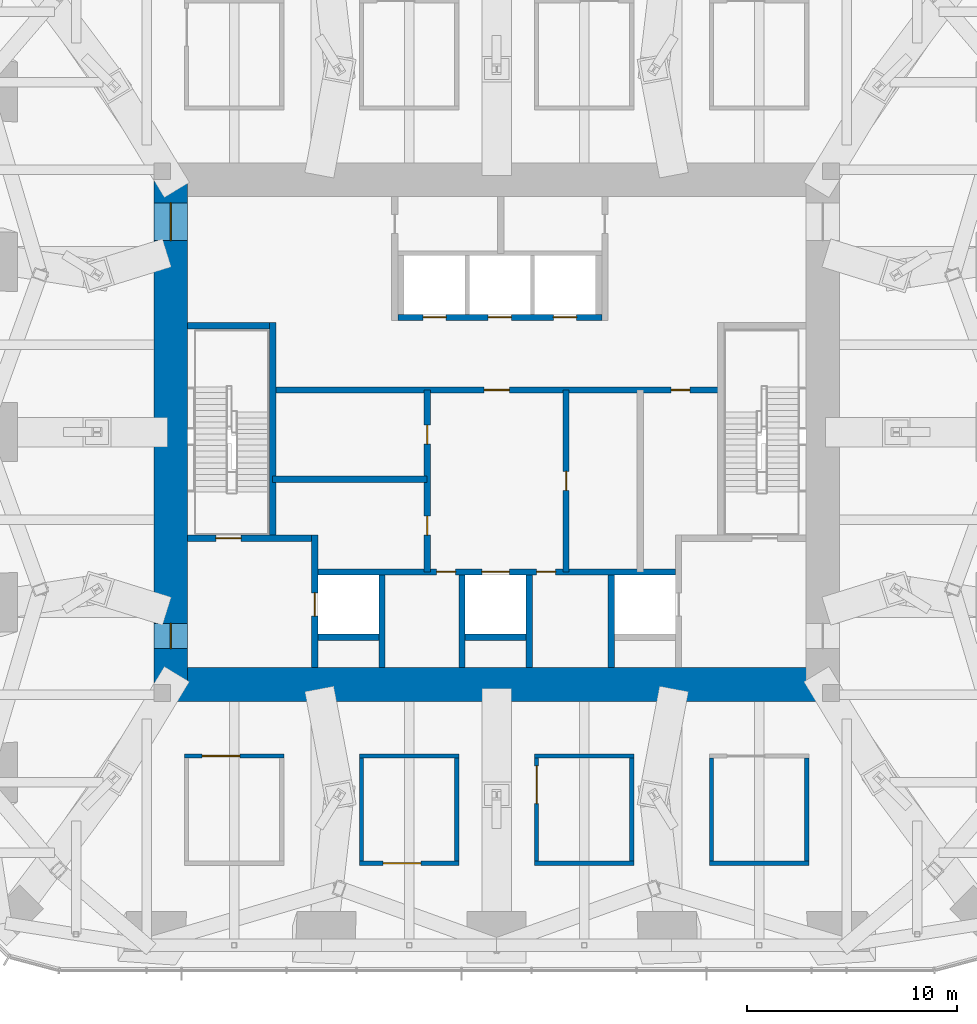
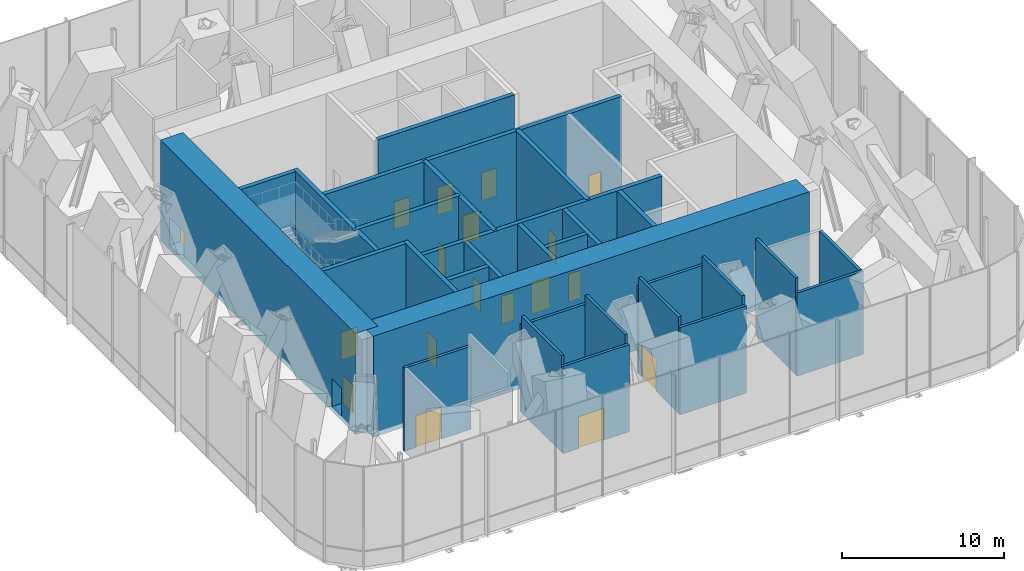
# One storey, part 12 of 16: 30 walls, 18 doors, 18 openings.
"""IFC4 building model written with IfcOpenShell, lengths in metres."""

from ifc_helpers import new_model, si_unit, direction, frame, frame_2d, origin, place, context, subcontext, project, spatial, rectangle, extrude, material, layer, layer_set, type_object, element, fill, save


model = new_model("IFC4")

# Units and contexts
model_context = context("Model", 3, precision=1e-05, world=origin(), true_north=direction((0.0, 1.0)))
body_context = subcontext(model_context, "Body", "Model", "MODEL_VIEW")
ifc_project = project(units=[si_unit("LENGTHUNIT", "METRE"), si_unit("AREAUNIT", "SQUARE_METRE"), si_unit("VOLUMEUNIT", "CUBIC_METRE"), si_unit("PLANEANGLEUNIT", "RADIAN"), si_unit("MASSUNIT", "GRAM", prefix="KILO")], contexts=[model_context])

# Site, building, storey
site_placement = place(None, origin())
site = spatial("IfcSite", under=ifc_project, at=site_placement, CompositionType="ELEMENT")
building_placement = place(site_placement, origin())
building = spatial("IfcBuilding", under=site, at=building_placement, Name="Khuree Lantern Residences", CompositionType="ELEMENT")
storey_placement = place(building_placement, frame((0.0, 0.0, 278.25)))
storey = spatial("IfcBuildingStorey", under=building, at=storey_placement, Name="L70", CompositionType="ELEMENT", Elevation=278.25)

# Wall, opening, door
ifc_material_1 = material(Name="Dense concrete blockwork", Category="masonry")
ifc_layer_1 = layer(ifc_material_1, 0.300048828125)
ifc_layer_set_1 = layer_set([ifc_layer_1], Name="CORE PARTITION WALL CPW300 EI 120")
wall_type_1 = type_object("IfcWallType", Name="CORE PARTITION WALL CPW300 EI 120", PredefinedType="PARTITIONING", material=ifc_layer_set_1)
wall_1_placement = place(storey_placement, frame((-8.64990234375, -11.199951171875, 0.0), z_axis=(0.0, 0.0, 1.0), x_axis=(0.0, 1.0, 0.0)))
wall_1 = element("IfcWall", 1, at=wall_1_placement, inside=storey, type_object=wall_type_1, Name="L70 CORE WALL FL1W", PredefinedType="PARTITIONING", context=body_context, shape_type="SweptSolid", body=[
    extrude(rectangle(XDim=6.300048828125, YDim=0.300048828125, at=frame_2d((3.14990234375, 0.0))), origin(), (0.0, 0.0, 1.0), 7.25),
])
opening_1_placement = place(wall_1_placement, frame((2.449951171875, 0.0, 0.0)))
opening_1 = element("IfcOpeningElement", 2, at=opening_1_placement, cuts=wall_1, Name="Opening 70-007", PredefinedType="OPENING", context=body_context, shape_type="SweptSolid", body=[
    extrude(rectangle(XDim=1.10009765625, YDim=2.10009765625, at=frame_2d((0.550048828125, 1.050048828125))), frame((0.0, 0.16015625, 0.0), z_axis=(0.0, -1.0, 0.0), x_axis=(1.0, 0.0, 0.0)), (0.0, 0.0, 1.0), 0.320068359375),
])
ifc_material_2 = material(Name="Stainless steel lift landing door", Category="steel")
door_type_1 = type_object("IfcDoorType", Name="LIFT LANDING DOOR 1100X2100 E 120", OperationType="DOUBLE_DOOR_SLIDING", PredefinedType="DOOR", material=ifc_material_2)
door_1_placement = place(opening_1_placement, origin())
door_1 = element("IfcDoor", 3, at=door_1_placement, inside=storey, type_object=door_type_1, Name="Landing door FL1 70-007", OperationType="DOUBLE_DOOR_SLIDING", OverallHeight=2.10009765625, OverallWidth=1.10009765625, PredefinedType="DOOR", context=body_context, shape_type="SweptSolid", body=[
    extrude(rectangle(XDim=1.10009765625, YDim=2.10009765625, at=frame_2d((0.550048828125, 1.050048828125))), frame((0.0, 0.02490234375, 0.0), z_axis=(0.0, -1.0, 0.0), x_axis=(1.0, 0.0, 0.0)), (0.0, 0.0, 1.0), 0.050048828125),
])
fill(opening_1, door_1)

# Wall, openings, doors
wall_2_placement = place(storey_placement, frame((-8.5, -6.64990234375, 0.0), z_axis=(0.0, 0.0, 1.0), x_axis=(1.0, 0.0, 0.0)))
wall_2 = element("IfcWall", 4, at=wall_2_placement, inside=storey, type_object=wall_type_1, Name="L70 CORE WALL FLROW", PredefinedType="PARTITIONING", context=body_context, shape_type="SweptSolid", body=[
    extrude(rectangle(XDim=17.0, YDim=0.300048828125, at=frame_2d((8.5, 0.0))), origin(), (0.0, 0.0, 1.0), 7.25),
])
opening_2_placement = place(wall_2_placement, frame((7.800048828125, 0.0, 0.0)))
opening_2 = element("IfcOpeningElement", 5, at=opening_2_placement, cuts=wall_2, Name="Opening 70-012", PredefinedType="OPENING", context=body_context, shape_type="SweptSolid", body=[
    extrude(rectangle(XDim=1.300048828125, YDim=2.39990234375, at=frame_2d((0.64990234375, 1.199951171875))), frame((0.0, 0.16015625, 0.0), z_axis=(0.0, -1.0, 0.0), x_axis=(1.0, 0.0, 0.0)), (0.0, 0.0, 1.0), 0.320068359375),
])
opening_3_placement = place(wall_2_placement, frame((5.64990234375, 0.0, 0.0)))
opening_3 = element("IfcOpeningElement", 6, at=opening_3_placement, cuts=wall_2, Name="Opening 70-014", PredefinedType="OPENING", context=body_context, shape_type="SweptSolid", body=[
    extrude(rectangle(XDim=0.89990234375, YDim=2.10009765625, at=frame_2d((0.449951171875, 1.050048828125))), frame((0.0, 0.16015625, 0.0), z_axis=(0.0, -1.0, 0.0), x_axis=(1.0, 0.0, 0.0)), (0.0, 0.0, 1.0), 0.320068359375),
])
opening_4_placement = place(wall_2_placement, frame((10.39990234375, 0.0, 0.0)))
opening_4 = element("IfcOpeningElement", 7, at=opening_4_placement, cuts=wall_2, Name="Opening 70-015", PredefinedType="OPENING", context=body_context, shape_type="SweptSolid", body=[
    extrude(rectangle(XDim=0.89990234375, YDim=2.10009765625, at=frame_2d((0.449951171875, 1.050048828125))), frame((0.0, 0.16015625, 0.0), z_axis=(0.0, -1.0, 0.0), x_axis=(1.0, 0.0, 0.0)), (0.0, 0.0, 1.0), 0.320068359375),
])
ifc_material_3 = material(Name="Steel door leaf in steel frame", Category="steel")
door_type_2 = type_object("IfcDoorType", Name="DOOR 900X2100 EI 60", OperationType="SINGLE_SWING_LEFT", PredefinedType="DOOR", material=ifc_material_3)
door_2_placement = place(opening_3_placement, origin())
door_2 = element("IfcDoor", 8, at=door_2_placement, inside=storey, type_object=door_type_2, Name="Electrical riser door 70-014", OperationType="SINGLE_SWING_LEFT", OverallHeight=2.10009765625, OverallWidth=0.89990234375, PredefinedType="DOOR", context=body_context, shape_type="SweptSolid", body=[
    extrude(rectangle(XDim=0.89990234375, YDim=2.10009765625, at=frame_2d((0.449951171875, 1.050048828125))), frame((0.0, 0.02490234375, 0.0), z_axis=(0.0, -1.0, 0.0), x_axis=(1.0, 0.0, 0.0)), (0.0, 0.0, 1.0), 0.050048828125),
])
fill(opening_3, door_2)
door_type_3 = type_object("IfcDoorType", Name="DOOR 900X2100 EI 60 RIGHT HAND", OperationType="SINGLE_SWING_RIGHT", PredefinedType="DOOR", material=ifc_material_3)
door_3_placement = place(opening_4_placement, origin())
door_3 = element("IfcDoor", 9, at=door_3_placement, inside=storey, type_object=door_type_3, Name="Plumbing riser door 70-015", OperationType="SINGLE_SWING_RIGHT", OverallHeight=2.10009765625, OverallWidth=0.89990234375, PredefinedType="DOOR", context=body_context, shape_type="SweptSolid", body=[
    extrude(rectangle(XDim=0.89990234375, YDim=2.10009765625, at=frame_2d((0.449951171875, 1.050048828125))), frame((0.0, 0.02490234375, 0.0), z_axis=(0.0, -1.0, 0.0), x_axis=(1.0, 0.0, 0.0)), (0.0, 0.0, 1.0), 0.050048828125),
])
fill(opening_4, door_3)
door_type_4 = type_object("IfcDoorType", Name="LIFT LANDING DOOR 1300X2400 E 60", OperationType="DOUBLE_DOOR_SLIDING", PredefinedType="DOOR", material=ifc_material_2)
door_4_placement = place(opening_2_placement, origin())
door_4 = element("IfcDoor", 10, at=door_4_placement, inside=storey, type_object=door_type_4, Name="Landing door SL1 70-012", OperationType="DOUBLE_DOOR_SLIDING", OverallHeight=2.39990234375, OverallWidth=1.300048828125, PredefinedType="DOOR", context=body_context, shape_type="SweptSolid", body=[
    extrude(rectangle(XDim=1.300048828125, YDim=2.39990234375, at=frame_2d((0.64990234375, 1.199951171875))), frame((0.0, 0.02490234375, 0.0), z_axis=(0.0, -1.0, 0.0), x_axis=(1.0, 0.0, 0.0)), (0.0, 0.0, 1.0), 0.050048828125),
])
fill(opening_2, door_4)

# Walls
for number, where, z_axis, x_axis, name in (
    (11, (-5.449951171875, -11.199951171875, 0.0), (0.0, 0.0, 1.0), (0.0, 1.0, 0.0), "L70 CORE WALL FL1E"),
    (12, (-1.64990234375, -11.199951171875, 0.0), (0.0, 0.0, 1.0), (0.0, 1.0, 0.0), "L70 CORE WALL SL1W"),
    (13, (1.550048828125, -11.199951171875, 0.0), (0.0, 0.0, 1.0), (0.0, 1.0, 0.0), "L70 CORE WALL SL1E"),
    (14, (5.449951171875, -11.199951171875, 0.0), (0.0, 0.0, 1.0), (0.0, 1.0, 0.0), "L70 CORE WALL FL2W"),
):
    element("IfcWall", number, at=place(storey_placement, frame(where, z_axis=z_axis, x_axis=x_axis)), inside=storey, type_object=wall_type_1, Name=name, PredefinedType="PARTITIONING", context=body_context, shape_type="SweptSolid", body=[
        extrude(rectangle(XDim=4.39990234375, YDim=0.300048828125, at=frame_2d((2.199951171875, 0.0))), origin(), (0.0, 0.0, 1.0), 7.25),
    ])
for number, where, z_axis, x_axis, name in (
    (15, (-8.5, -9.75, 0.0), (0.0, 0.0, 1.0), (1.0, 0.0, 0.0), "L70 CORE WALL FL1S"),
    (16, (-1.5, -9.75, 0.0), (0.0, 0.0, 1.0), (1.0, 0.0, 0.0), "L70 CORE WALL SL1S"),
):
    element("IfcWall", number, at=place(storey_placement, frame(where, z_axis=z_axis, x_axis=x_axis)), inside=storey, type_object=wall_type_1, Name=name, PredefinedType="PARTITIONING", context=body_context, shape_type="SweptSolid", body=[
        extrude(rectangle(XDim=2.89990234375, YDim=0.300048828125, at=frame_2d((1.449951171875, 0.0))), origin(), (0.0, 0.0, 1.0), 7.25),
    ])

# Wall, openings, doors
wall_3_placement = place(storey_placement, frame((-4.699951171875, 5.449951171875, 0.0), z_axis=(0.0, 0.0, 1.0), x_axis=(1.0, 0.0, 0.0)))
wall_3 = element("IfcWall", 17, at=wall_3_placement, inside=storey, type_object=wall_type_1, Name="L70 CORE WALL PHS", PredefinedType="PARTITIONING", context=body_context, shape_type="SweptSolid", body=[
    extrude(rectangle(XDim=9.699951171875, YDim=0.300048828125, at=frame_2d((4.85009765625, 0.0))), origin(), (0.0, 0.0, 1.0), 7.25),
])
opening_5_placement = place(wall_3_placement, frame((1.199951171875, 0.0, 0.0)))
opening_5 = element("IfcOpeningElement", 18, at=opening_5_placement, cuts=wall_3, Name="Opening 70-009", PredefinedType="OPENING", context=body_context, shape_type="SweptSolid", body=[
    extrude(rectangle(XDim=1.10009765625, YDim=2.10009765625, at=frame_2d((0.550048828125, 1.050048828125))), frame((0.0, 0.16015625, 0.0), z_axis=(0.0, -1.0, 0.0), x_axis=(1.0, 0.0, 0.0)), (0.0, 0.0, 1.0), 0.320068359375),
])
opening_6_placement = place(wall_3_placement, frame((4.300048828125, 0.0, 0.0)))
opening_6 = element("IfcOpeningElement", 19, at=opening_6_placement, cuts=wall_3, Name="Opening 70-010", PredefinedType="OPENING", context=body_context, shape_type="SweptSolid", body=[
    extrude(rectangle(XDim=1.10009765625, YDim=2.10009765625, at=frame_2d((0.550048828125, 1.050048828125))), frame((0.0, 0.16015625, 0.0), z_axis=(0.0, -1.0, 0.0), x_axis=(1.0, 0.0, 0.0)), (0.0, 0.0, 1.0), 0.320068359375),
])
opening_7_placement = place(wall_3_placement, frame((7.39990234375, 0.0, 0.0)))
opening_7 = element("IfcOpeningElement", 20, at=opening_7_placement, cuts=wall_3, Name="Opening 70-011", PredefinedType="OPENING", context=body_context, shape_type="SweptSolid", body=[
    extrude(rectangle(XDim=1.10009765625, YDim=2.10009765625, at=frame_2d((0.550048828125, 1.050048828125))), frame((0.0, 0.16015625, 0.0), z_axis=(0.0, -1.0, 0.0), x_axis=(1.0, 0.0, 0.0)), (0.0, 0.0, 1.0), 0.320068359375),
])
door_type_5 = type_object("IfcDoorType", Name="LIFT LANDING DOOR 1100X2100 E 60", OperationType="DOUBLE_DOOR_SLIDING", PredefinedType="DOOR", material=ifc_material_2)
door_5_placement = place(opening_5_placement, origin())
door_5 = element("IfcDoor", 21, at=door_5_placement, inside=storey, type_object=door_type_5, Name="Landing door PH1 70-009", OperationType="DOUBLE_DOOR_SLIDING", OverallHeight=2.10009765625, OverallWidth=1.10009765625, PredefinedType="DOOR", context=body_context, shape_type="SweptSolid", body=[
    extrude(rectangle(XDim=1.10009765625, YDim=2.10009765625, at=frame_2d((0.550048828125, 1.050048828125))), frame((0.0, 0.02490234375, 0.0), z_axis=(0.0, -1.0, 0.0), x_axis=(1.0, 0.0, 0.0)), (0.0, 0.0, 1.0), 0.050048828125),
])
fill(opening_5, door_5)
door_6_placement = place(opening_6_placement, origin())
door_6 = element("IfcDoor", 22, at=door_6_placement, inside=storey, type_object=door_type_5, Name="Landing door PH2 70-010", OperationType="DOUBLE_DOOR_SLIDING", OverallHeight=2.10009765625, OverallWidth=1.10009765625, PredefinedType="DOOR", context=body_context, shape_type="SweptSolid", body=[
    extrude(rectangle(XDim=1.10009765625, YDim=2.10009765625, at=frame_2d((0.550048828125, 1.050048828125))), frame((0.0, 0.02490234375, 0.0), z_axis=(0.0, -1.0, 0.0), x_axis=(1.0, 0.0, 0.0)), (0.0, 0.0, 1.0), 0.050048828125),
])
fill(opening_6, door_6)
door_7_placement = place(opening_7_placement, origin())
door_7 = element("IfcDoor", 23, at=door_7_placement, inside=storey, type_object=door_type_5, Name="Landing door PH3 70-011", OperationType="DOUBLE_DOOR_SLIDING", OverallHeight=2.10009765625, OverallWidth=1.10009765625, PredefinedType="DOOR", context=body_context, shape_type="SweptSolid", body=[
    extrude(rectangle(XDim=1.10009765625, YDim=2.10009765625, at=frame_2d((0.550048828125, 1.050048828125))), frame((0.0, 0.02490234375, 0.0), z_axis=(0.0, -1.0, 0.0), x_axis=(1.0, 0.0, 0.0)), (0.0, 0.0, 1.0), 0.050048828125),
])
fill(opening_7, door_7)

wall_4_placement = place(storey_placement, frame((-10.64990234375, 2.0, 0.0), z_axis=(0.0, 0.0, 1.0), x_axis=(1.0, 0.0, 0.0)))
wall_4 = element("IfcWall", 24, at=wall_4_placement, inside=storey, type_object=wall_type_1, Name="L70 CORE WALL LLS", PredefinedType="PARTITIONING", context=body_context, shape_type="SweptSolid", body=[
    extrude(rectangle(XDim=21.2998046875, YDim=0.300048828125, at=frame_2d((10.64990234375, 0.0))), origin(), (0.0, 0.0, 1.0), 7.25),
])
opening_8_placement = place(wall_4_placement, frame((10.050048828125, 0.0, 0.0)))
opening_8 = element("IfcOpeningElement", 25, at=opening_8_placement, cuts=wall_4, Name="Opening 70-013", PredefinedType="OPENING", context=body_context, shape_type="SweptSolid", body=[
    extrude(rectangle(XDim=1.199951171875, YDim=2.10009765625, at=frame_2d((0.60009765625, 1.050048828125))), frame((0.0, 0.16015625, 0.0), z_axis=(0.0, -1.0, 0.0), x_axis=(1.0, 0.0, 0.0)), (0.0, 0.0, 1.0), 0.320068359375),
])
opening_9_placement = place(wall_4_placement, frame((18.94189453125, 0.0, 0.0)))
opening_9 = element("IfcOpeningElement", 26, at=opening_9_placement, cuts=wall_4, Name="Opening 70-019", PredefinedType="OPENING", context=body_context, shape_type="SweptSolid", body=[
    extrude(rectangle(XDim=0.89990234375, YDim=2.10009765625, at=frame_2d((0.449951171875, 1.050048828125))), frame((0.0, 0.16015625, 0.0), z_axis=(0.0, -1.0, 0.0), x_axis=(1.0, 0.0, 0.0)), (0.0, 0.0, 1.0), 0.320068359375),
])
door_type_6 = type_object("IfcDoorType", Name="DOOR 1200X2100 EI 60", OperationType="SINGLE_SWING_LEFT", PredefinedType="DOOR", material=ifc_material_3)
door_8_placement = place(opening_8_placement, origin())
door_8 = element("IfcDoor", 27, at=door_8_placement, inside=storey, type_object=door_type_6, Name="Service lift lobby door 70-013", OperationType="SINGLE_SWING_LEFT", OverallHeight=2.10009765625, OverallWidth=1.199951171875, PredefinedType="DOOR", context=body_context, shape_type="SweptSolid", body=[
    extrude(rectangle(XDim=1.199951171875, YDim=2.10009765625, at=frame_2d((0.60009765625, 1.050048828125))), frame((0.0, 0.02490234375, 0.0), z_axis=(0.0, -1.0, 0.0), x_axis=(1.0, 0.0, 0.0)), (0.0, 0.0, 1.0), 0.050048828125),
])
fill(opening_8, door_8)
ifc_material_4 = material(Name="Timber door leaf in hardwood frame", Category="wood")
door_type_7 = type_object("IfcDoorType", Name="DOOR 900X2100 RIGHT HAND", OperationType="SINGLE_SWING_RIGHT", PredefinedType="DOOR", material=ifc_material_4)
door_9_placement = place(opening_9_placement, origin())
door_9 = element("IfcDoor", 28, at=door_9_placement, inside=storey, type_object=door_type_7, Name="Store door 70-019", OperationType="SINGLE_SWING_RIGHT", OverallHeight=2.10009765625, OverallWidth=0.89990234375, PredefinedType="DOOR", context=body_context, shape_type="SweptSolid", body=[
    extrude(rectangle(XDim=0.89990234375, YDim=2.10009765625, at=frame_2d((0.449951171875, 1.050048828125))), frame((0.0, 0.02490234375, 0.0), z_axis=(0.0, -1.0, 0.0), x_axis=(1.0, 0.0, 0.0)), (0.0, 0.0, 1.0), 0.050048828125),
])
fill(opening_9, door_9)

wall_5_placement = place(storey_placement, frame((-3.300048828125, -6.64990234375, 0.0), z_axis=(0.0, 0.0, 1.0), x_axis=(0.0, 1.0, 0.0)))
wall_5 = element("IfcWall", 29, at=wall_5_placement, inside=storey, type_object=wall_type_1, Name="L70 CORE WALL SVW", PredefinedType="PARTITIONING", context=body_context, shape_type="SweptSolid", body=[
    extrude(rectangle(XDim=8.64990234375, YDim=0.300048828125, at=frame_2d((4.324951171875, 0.0))), origin(), (0.0, 0.0, 1.0), 7.25),
])
opening_10_placement = place(wall_5_placement, frame((1.75, 0.0, 0.0)))
opening_10 = element("IfcOpeningElement", 30, at=opening_10_placement, cuts=wall_5, Name="Opening 70-016", PredefinedType="OPENING", context=body_context, shape_type="SweptSolid", body=[
    extrude(rectangle(XDim=0.89990234375, YDim=2.10009765625, at=frame_2d((0.449951171875, 1.050048828125))), frame((0.0, 0.16015625, 0.0), z_axis=(0.0, -1.0, 0.0), x_axis=(1.0, 0.0, 0.0)), (0.0, 0.0, 1.0), 0.320068359375),
])
opening_11_placement = place(wall_5_placement, frame((6.074951171875, 0.0, 0.0)))
opening_11 = element("IfcOpeningElement", 31, at=opening_11_placement, cuts=wall_5, Name="Opening 70-017", PredefinedType="OPENING", context=body_context, shape_type="SweptSolid", body=[
    extrude(rectangle(XDim=0.89990234375, YDim=2.10009765625, at=frame_2d((0.449951171875, 1.050048828125))), frame((0.0, 0.16015625, 0.0), z_axis=(0.0, -1.0, 0.0), x_axis=(1.0, 0.0, 0.0)), (0.0, 0.0, 1.0), 0.320068359375),
])
door_type_8 = type_object("IfcDoorType", Name="DOOR 900X2100", OperationType="SINGLE_SWING_LEFT", PredefinedType="DOOR", material=ifc_material_4)
door_10_placement = place(opening_10_placement, origin())
door_10 = element("IfcDoor", 32, at=door_10_placement, inside=storey, type_object=door_type_8, Name="Store door 70-016", OperationType="SINGLE_SWING_LEFT", OverallHeight=2.10009765625, OverallWidth=0.89990234375, PredefinedType="DOOR", context=body_context, shape_type="SweptSolid", body=[
    extrude(rectangle(XDim=0.89990234375, YDim=2.10009765625, at=frame_2d((0.449951171875, 1.050048828125))), frame((0.0, 0.02490234375, 0.0), z_axis=(0.0, -1.0, 0.0), x_axis=(1.0, 0.0, 0.0)), (0.0, 0.0, 1.0), 0.050048828125),
])
fill(opening_10, door_10)
door_11_placement = place(opening_11_placement, origin())
door_11 = element("IfcDoor", 33, at=door_11_placement, inside=storey, type_object=door_type_8, Name="Store door 70-017", OperationType="SINGLE_SWING_LEFT", OverallHeight=2.10009765625, OverallWidth=0.89990234375, PredefinedType="DOOR", context=body_context, shape_type="SweptSolid", body=[
    extrude(rectangle(XDim=0.89990234375, YDim=2.10009765625, at=frame_2d((0.449951171875, 1.050048828125))), frame((0.0, 0.02490234375, 0.0), z_axis=(0.0, -1.0, 0.0), x_axis=(1.0, 0.0, 0.0)), (0.0, 0.0, 1.0), 0.050048828125),
])
fill(opening_11, door_11)

# Wall, opening, door
wall_6_placement = place(storey_placement, frame((3.300048828125, -6.64990234375, 0.0), z_axis=(0.0, 0.0, 1.0), x_axis=(0.0, 1.0, 0.0)))
wall_6 = element("IfcWall", 34, at=wall_6_placement, inside=storey, type_object=wall_type_1, Name="L70 CORE WALL SVE", PredefinedType="PARTITIONING", context=body_context, shape_type="SweptSolid", body=[
    extrude(rectangle(XDim=8.64990234375, YDim=0.300048828125, at=frame_2d((4.324951171875, 0.0))), origin(), (0.0, 0.0, 1.0), 7.25),
])
opening_12_placement = place(wall_6_placement, frame((3.875, 0.0, 0.0)))
opening_12 = element("IfcOpeningElement", 35, at=opening_12_placement, cuts=wall_6, Name="Opening 70-018", PredefinedType="OPENING", context=body_context, shape_type="SweptSolid", body=[
    extrude(rectangle(XDim=0.89990234375, YDim=2.10009765625, at=frame_2d((0.449951171875, 1.050048828125))), frame((0.0, 0.16015625, 0.0), z_axis=(0.0, -1.0, 0.0), x_axis=(1.0, 0.0, 0.0)), (0.0, 0.0, 1.0), 0.320068359375),
])
door_12_placement = place(opening_12_placement, origin())
door_12 = element("IfcDoor", 36, at=door_12_placement, inside=storey, type_object=door_type_8, Name="Store door 70-018", OperationType="SINGLE_SWING_LEFT", OverallHeight=2.10009765625, OverallWidth=0.89990234375, PredefinedType="DOOR", context=body_context, shape_type="SweptSolid", body=[
    extrude(rectangle(XDim=0.89990234375, YDim=2.10009765625, at=frame_2d((0.449951171875, 1.050048828125))), frame((0.0, 0.02490234375, 0.0), z_axis=(0.0, -1.0, 0.0), x_axis=(1.0, 0.0, 0.0)), (0.0, 0.0, 1.0), 0.050048828125),
])
fill(opening_12, door_12)

# Walls
wall_7_placement = place(storey_placement, frame((-10.64990234375, -2.25, 0.0), z_axis=(0.0, 0.0, 1.0), x_axis=(1.0, 0.0, 0.0)))
element("IfcWall", 37, at=wall_7_placement, inside=storey, type_object=wall_type_1, Name="L70 CORE WALL WX", PredefinedType="PARTITIONING", context=body_context, shape_type="SweptSolid", body=[
    extrude(rectangle(XDim=7.349853515625, YDim=0.300048828125, at=frame_2d((3.6748046875, 0.0))), origin(), (0.0, 0.0, 1.0), 7.25),
])
ifc_material_5 = material(Name="Concrete C50/60", Category="concrete")
ifc_layer_2 = layer(ifc_material_5, 1.60009765625)
ifc_layer_set_2 = layer_set([ifc_layer_2], Name="CW1600-C50 CORE WALL C50 1600")
wall_type_2 = type_object("IfcWallType", Name="CW1600-C50 CORE WALL C50 1600", PredefinedType="SHEAR", material=ifc_layer_set_2)
wall_8_placement = place(storey_placement, frame((-15.5, -12.0, -0.35009765625), z_axis=(0.0, 0.0, 1.0), x_axis=(1.0, 0.0, 0.0)))
element("IfcWall", 38, at=wall_8_placement, inside=storey, type_object=wall_type_2, Name="Core wall S", PredefinedType="SHEAR", context=body_context, shape_type="SweptSolid", body=[
    extrude(rectangle(XDim=31.0, YDim=1.60009765625, at=frame_2d((15.5, 0.0))), origin(), (0.0, 0.0, 1.0), 7.60009765625),
])

# Wall, openings, doors
wall_9_placement = place(storey_placement, frame((-15.5, -12.0, -0.35009765625), z_axis=(0.0, 0.0, 1.0), x_axis=(0.0, 1.0, 0.0)))
wall_9 = element("IfcWall", 39, at=wall_9_placement, inside=storey, type_object=wall_type_2, Name="Core wall W", PredefinedType="SHEAR", context=body_context, shape_type="SweptSolid", body=[
    extrude(rectangle(XDim=24.0, YDim=1.60009765625, at=frame_2d((12.0, 0.0))), origin(), (0.0, 0.0, 1.0), 7.60009765625),
])
opening_13_placement = place(wall_9_placement, frame((1.699951171875, 0.0, 0.35009765625)))
opening_13 = element("IfcOpeningElement", 40, at=opening_13_placement, cuts=wall_9, Name="Opening 70-002", PredefinedType="OPENING", context=body_context, shape_type="SweptSolid", body=[
    extrude(rectangle(XDim=1.199951171875, YDim=2.10009765625, at=frame_2d((0.60009765625, 1.050048828125))), frame((0.0, 0.81005859375, 0.0), z_axis=(0.0, -1.0, 0.0), x_axis=(1.0, 0.0, 0.0)), (0.0, 0.0, 1.0), 1.6201171875),
])
opening_14_placement = place(wall_9_placement, frame((21.10009765625, 0.0, 0.35009765625)))
opening_14 = element("IfcOpeningElement", 41, at=opening_14_placement, cuts=wall_9, Name="Opening 70-003", PredefinedType="OPENING", context=body_context, shape_type="SweptSolid", body=[
    extrude(rectangle(XDim=1.800048828125, YDim=2.10009765625, at=frame_2d((0.89990234375, 1.050048828125))), frame((0.0, 0.81005859375, 0.0), z_axis=(0.0, -1.0, 0.0), x_axis=(1.0, 0.0, 0.0)), (0.0, 0.0, 1.0), 1.6201171875),
])
door_type_9 = type_object("IfcDoorType", Name="LOBBY DOOR 1200X2100 EI 120", OperationType="SINGLE_SWING_LEFT", PredefinedType="DOOR", material=ifc_material_3)
door_13_placement = place(opening_13_placement, origin())
door_13 = element("IfcDoor", 42, at=door_13_placement, inside=storey, type_object=door_type_9, Name="Firefighting lobby door 70-002", OperationType="SINGLE_SWING_LEFT", OverallHeight=2.10009765625, OverallWidth=1.199951171875, PredefinedType="DOOR", context=body_context, shape_type="SweptSolid", body=[
    extrude(rectangle(XDim=1.199951171875, YDim=2.10009765625, at=frame_2d((0.60009765625, 1.050048828125))), frame((0.0, 0.02490234375, 0.0), z_axis=(0.0, -1.0, 0.0), x_axis=(1.0, 0.0, 0.0)), (0.0, 0.0, 1.0), 0.050048828125),
])
fill(opening_13, door_13)
door_type_10 = type_object("IfcDoorType", Name="LOBBY DOUBLE DOOR 1800X2100 EI 60", OperationType="DOUBLE_DOOR_SINGLE_SWING", PredefinedType="DOOR", material=ifc_material_3)
door_14_placement = place(opening_14_placement, origin())
door_14 = element("IfcDoor", 43, at=door_14_placement, inside=storey, type_object=door_type_10, Name="Lift lobby door 70-003", OperationType="DOUBLE_DOOR_SINGLE_SWING", OverallHeight=2.10009765625, OverallWidth=1.800048828125, PredefinedType="DOOR", context=body_context, shape_type="SweptSolid", body=[
    extrude(rectangle(XDim=1.800048828125, YDim=2.10009765625, at=frame_2d((0.89990234375, 1.050048828125))), frame((0.0, 0.02490234375, 0.0), z_axis=(0.0, -1.0, 0.0), x_axis=(1.0, 0.0, 0.0)), (0.0, 0.0, 1.0), 0.050048828125),
])
fill(opening_14, door_14)

# Wall, opening, door
ifc_layer_3 = layer(ifc_material_1, 0.199951171875)
ifc_layer_set_3 = layer_set([ifc_layer_3], Name="FIRE-RATED ROOM WALL FRW200 EI 120")
wall_type_3 = type_object("IfcWallType", Name="FIRE-RATED ROOM WALL FRW200 EI 120", PredefinedType="SOLIDWALL", material=ifc_layer_set_3)
wall_10_placement = place(storey_placement, frame((-6.52001953125, -20.5, 0.0), z_axis=(0.0, 0.0, 1.0), x_axis=(1.0, 0.0, 0.0)))
wall_10 = element("IfcWall", 44, at=wall_10_placement, inside=storey, type_object=wall_type_3, Name="L70 ROOM WALL 2", PredefinedType="SOLIDWALL", context=body_context, shape_type="SweptSolid", body=[
    extrude(rectangle(XDim=4.719970703125, YDim=0.199951171875, at=frame_2d((2.35986328125, 0.0))), origin(), (0.0, 0.0, 1.0), 6.56005859375),
])
opening_15_placement = place(wall_10_placement, frame((1.1240234375, 0.0, 0.0)))
opening_15 = element("IfcOpeningElement", 45, at=opening_15_placement, cuts=wall_10, Name="Opening 70-026", PredefinedType="OPENING", context=body_context, shape_type="SweptSolid", body=[
    extrude(rectangle(XDim=1.800048828125, YDim=2.39990234375, at=frame_2d((0.89990234375, 1.199951171875))), frame((0.0, 0.10986328125, 0.0), z_axis=(0.0, -1.0, 0.0), x_axis=(1.0, 0.0, 0.0)), (0.0, 0.0, 1.0), 0.219970703125),
])
door_type_11 = type_object("IfcDoorType", Name="PLANT ROOM DOOR 1800X2400 EI 60", OperationType="DOUBLE_DOOR_SINGLE_SWING", PredefinedType="DOOR", material=ifc_material_3)
door_15_placement = place(opening_15_placement, origin())
door_15 = element("IfcDoor", 46, at=door_15_placement, inside=storey, type_object=door_type_11, Name="Heat exchanger plant room door 70-026", OperationType="DOUBLE_DOOR_SINGLE_SWING", OverallHeight=2.39990234375, OverallWidth=1.800048828125, PredefinedType="DOOR", context=body_context, shape_type="SweptSolid", body=[
    extrude(rectangle(XDim=1.800048828125, YDim=2.39990234375, at=frame_2d((0.89990234375, 1.199951171875))), frame((0.0, 0.02490234375, 0.0), z_axis=(0.0, -1.0, 0.0), x_axis=(1.0, 0.0, 0.0)), (0.0, 0.0, 1.0), 0.050048828125),
])
fill(opening_15, door_15)

# Walls
wall_11_placement = place(storey_placement, frame((1.800048828125, -20.5, 0.0), z_axis=(0.0, 0.0, 1.0), x_axis=(1.0, 0.0, 0.0)))
element("IfcWall", 47, at=wall_11_placement, inside=storey, type_object=wall_type_3, Name="L70 ROOM WALL 3", PredefinedType="SOLIDWALL", context=body_context, shape_type="SweptSolid", body=[
    extrude(rectangle(XDim=4.719970703125, YDim=0.199951171875, at=frame_2d((2.35986328125, 0.0))), origin(), (0.0, 0.0, 1.0), 6.56005859375),
])
wall_12_placement = place(storey_placement, frame((10.1201171875, -20.5, 0.0), z_axis=(0.0, 0.0, 1.0), x_axis=(1.0, 0.0, 0.0)))
element("IfcWall", 48, at=wall_12_placement, inside=storey, type_object=wall_type_3, Name="L70 ROOM WALL 4", PredefinedType="SOLIDWALL", context=body_context, shape_type="SweptSolid", body=[
    extrude(rectangle(XDim=4.719970703125, YDim=0.199951171875, at=frame_2d((2.35986328125, 0.0))), origin(), (0.0, 0.0, 1.0), 6.25),
])
for number, where, z_axis, x_axis, name in (
    (49, (-6.419921875, -20.39990234375, 0.0), (0.0, 0.0, 1.0), (0.0, 1.0, 0.0), "L70 ROOM WALL 7"),
    (50, (-1.89990234375, -20.39990234375, 0.0), (0.0, 0.0, 1.0), (0.0, 1.0, 0.0), "L70 ROOM WALL 8"),
):
    element("IfcWall", number, at=place(storey_placement, frame(where, z_axis=z_axis, x_axis=x_axis)), inside=storey, type_object=wall_type_3, Name=name, PredefinedType="SOLIDWALL", context=body_context, shape_type="SweptSolid", body=[
        extrude(rectangle(XDim=4.89990234375, YDim=0.199951171875, at=frame_2d((2.449951171875, 0.0))), origin(), (0.0, 0.0, 1.0), 7.25),
    ])

# Wall, opening, door
wall_13_placement = place(storey_placement, frame((1.89990234375, -20.39990234375, 0.0), z_axis=(0.0, 0.0, 1.0), x_axis=(0.0, 1.0, 0.0)))
wall_13 = element("IfcWall", 51, at=wall_13_placement, inside=storey, type_object=wall_type_3, Name="L70 ROOM WALL 9", PredefinedType="SOLIDWALL", context=body_context, shape_type="SweptSolid", body=[
    extrude(rectangle(XDim=4.89990234375, YDim=0.199951171875, at=frame_2d((2.449951171875, 0.0))), origin(), (0.0, 0.0, 1.0), 7.25),
])
opening_16_placement = place(wall_13_placement, frame((2.732666015625, 0.0, 0.0)))
opening_16 = element("IfcOpeningElement", 52, at=opening_16_placement, cuts=wall_13, Name="Opening 70-027", PredefinedType="OPENING", context=body_context, shape_type="SweptSolid", body=[
    extrude(rectangle(XDim=1.800048828125, YDim=2.39990234375, at=frame_2d((0.89990234375, 1.199951171875))), frame((0.0, 0.10986328125, 0.0), z_axis=(0.0, -1.0, 0.0), x_axis=(1.0, 0.0, 0.0)), (0.0, 0.0, 1.0), 0.219970703125),
])
door_16_placement = place(opening_16_placement, origin())
door_16 = element("IfcDoor", 53, at=door_16_placement, inside=storey, type_object=door_type_11, Name="Electrical switch room door 70-027", OperationType="DOUBLE_DOOR_SINGLE_SWING", OverallHeight=2.39990234375, OverallWidth=1.800048828125, PredefinedType="DOOR", context=body_context, shape_type="SweptSolid", body=[
    extrude(rectangle(XDim=1.800048828125, YDim=2.39990234375, at=frame_2d((0.89990234375, 1.199951171875))), frame((0.0, 0.02490234375, 0.0), z_axis=(0.0, -1.0, 0.0), x_axis=(1.0, 0.0, 0.0)), (0.0, 0.0, 1.0), 0.050048828125),
])
fill(opening_16, door_16)

# Walls
for number, where, z_axis, x_axis, name in (
    (54, (6.419921875, -20.39990234375, 0.0), (0.0, 0.0, 1.0), (0.0, 1.0, 0.0), "L70 ROOM WALL 10"),
    (55, (10.219970703125, -20.39990234375, 0.0), (0.0, 0.0, 1.0), (0.0, 1.0, 0.0), "L70 ROOM WALL 11"),
):
    element("IfcWall", number, at=place(storey_placement, frame(where, z_axis=z_axis, x_axis=x_axis)), inside=storey, type_object=wall_type_3, Name=name, PredefinedType="SOLIDWALL", context=body_context, shape_type="SweptSolid", body=[
        extrude(rectangle(XDim=4.89990234375, YDim=0.199951171875, at=frame_2d((2.449951171875, 0.0))), origin(), (0.0, 0.0, 1.0), 7.25),
    ])
wall_14_placement = place(storey_placement, frame((14.739990234375, -20.39990234375, 0.0), z_axis=(0.0, 0.0, 1.0), x_axis=(0.0, 1.0, 0.0)))
element("IfcWall", 56, at=wall_14_placement, inside=storey, type_object=wall_type_3, Name="L70 ROOM WALL 12", PredefinedType="SOLIDWALL", context=body_context, shape_type="SweptSolid", body=[
    extrude(rectangle(XDim=4.89990234375, YDim=0.199951171875, at=frame_2d((2.449951171875, 0.0))), origin(), (0.0, 0.0, 1.0), 6.25),
])

# Wall, opening, door
wall_15_placement = place(storey_placement, frame((-14.840087890625, -15.39990234375, 0.0), z_axis=(0.0, 0.0, 1.0), x_axis=(1.0, 0.0, 0.0)))
wall_15 = element("IfcWall", 57, at=wall_15_placement, inside=storey, type_object=wall_type_3, Name="L70 ROOM WALL 13", PredefinedType="SOLIDWALL", context=body_context, shape_type="SweptSolid", body=[
    extrude(rectangle(XDim=4.719970703125, YDim=0.199951171875, at=frame_2d((2.35986328125, 0.0))), origin(), (0.0, 0.0, 1.0), 6.25),
])
opening_17_placement = place(wall_15_placement, frame((0.833984375, 0.0, 0.0)))
opening_17 = element("IfcOpeningElement", 58, at=opening_17_placement, cuts=wall_15, Name="Opening 70-028", PredefinedType="OPENING", context=body_context, shape_type="SweptSolid", body=[
    extrude(rectangle(XDim=1.800048828125, YDim=2.39990234375, at=frame_2d((0.89990234375, 1.199951171875))), frame((0.0, 0.10986328125, 0.0), z_axis=(0.0, -1.0, 0.0), x_axis=(1.0, 0.0, 0.0)), (0.0, 0.0, 1.0), 0.219970703125),
])
door_17_placement = place(opening_17_placement, origin())
door_17 = element("IfcDoor", 59, at=door_17_placement, inside=storey, type_object=door_type_11, Name="Water treatment plant room door 70-028", OperationType="DOUBLE_DOOR_SINGLE_SWING", OverallHeight=2.39990234375, OverallWidth=1.800048828125, PredefinedType="DOOR", context=body_context, shape_type="SweptSolid", body=[
    extrude(rectangle(XDim=1.800048828125, YDim=2.39990234375, at=frame_2d((0.89990234375, 1.199951171875))), frame((0.0, 0.02490234375, 0.0), z_axis=(0.0, -1.0, 0.0), x_axis=(1.0, 0.0, 0.0)), (0.0, 0.0, 1.0), 0.050048828125),
])
fill(opening_17, door_17)

# Walls
for number, where, z_axis, x_axis, name in (
    (60, (-6.52001953125, -15.39990234375, 0.0), (0.0, 0.0, 1.0), (1.0, 0.0, 0.0), "L70 ROOM WALL 14"),
    (61, (1.800048828125, -15.39990234375, 0.0), (0.0, 0.0, 1.0), (1.0, 0.0, 0.0), "L70 ROOM WALL 15"),
):
    element("IfcWall", number, at=place(storey_placement, frame(where, z_axis=z_axis, x_axis=x_axis)), inside=storey, type_object=wall_type_3, Name=name, PredefinedType="SOLIDWALL", context=body_context, shape_type="SweptSolid", body=[
        extrude(rectangle(XDim=4.719970703125, YDim=0.199951171875, at=frame_2d((2.35986328125, 0.0))), origin(), (0.0, 0.0, 1.0), 6.56005859375),
    ])
ifc_layer_4 = layer(ifc_material_5, 0.300048828125)
ifc_layer_set_4 = layer_set([ifc_layer_4], Name="STAIR WALL SRW300 C50/60 REI 240")
wall_type_4 = type_object("IfcWallType", Name="STAIR WALL SRW300 C50/60 REI 240", PredefinedType="SOLIDWALL", material=ifc_layer_set_4)
wall_16_placement = place(storey_placement, frame((-10.64990234375, -4.89990234375, 0.0), z_axis=(0.0, 0.0, 1.0), x_axis=(0.0, 1.0, 0.0)))
element("IfcWall", 62, at=wall_16_placement, inside=storey, type_object=wall_type_4, Name="L70 STAIR WALL ST1E", PredefinedType="SOLIDWALL", context=body_context, shape_type="SweptSolid", body=[
    extrude(rectangle(XDim=10.099853515625, YDim=0.300048828125, at=frame_2d((5.0498046875, 0.0))), origin(), (0.0, 0.0, 1.0), 7.25),
])

# Wall, opening, door
wall_17_placement = place(storey_placement, frame((-14.699951171875, -5.050048828125, 0.0), z_axis=(0.0, 0.0, 1.0), x_axis=(1.0, 0.0, 0.0)))
wall_17 = element("IfcWall", 63, at=wall_17_placement, inside=storey, type_object=wall_type_4, Name="L70 STAIR WALL ST1S", PredefinedType="SOLIDWALL", context=body_context, shape_type="SweptSolid", body=[
    extrude(rectangle(XDim=5.89990234375, YDim=0.300048828125, at=frame_2d((2.949951171875, 0.0))), origin(), (0.0, 0.0, 1.0), 7.25),
])
opening_18_placement = place(wall_17_placement, frame((1.35009765625, 0.0, 0.0)))
opening_18 = element("IfcOpeningElement", 64, at=opening_18_placement, cuts=wall_17, Name="Opening 70-001", PredefinedType="OPENING", context=body_context, shape_type="SweptSolid", body=[
    extrude(rectangle(XDim=1.199951171875, YDim=2.10009765625, at=frame_2d((0.60009765625, 1.050048828125))), frame((0.0, 0.16015625, 0.0), z_axis=(0.0, -1.0, 0.0), x_axis=(1.0, 0.0, 0.0)), (0.0, 0.0, 1.0), 0.320068359375),
])
door_type_12 = type_object("IfcDoorType", Name="STAIR DOOR 1200X2100 EI 120", OperationType="SINGLE_SWING_LEFT", PredefinedType="DOOR", material=ifc_material_3)
door_18_placement = place(opening_18_placement, origin())
door_18 = element("IfcDoor", 65, at=door_18_placement, inside=storey, type_object=door_type_12, Name="Stair ST1 door 70-001", OperationType="SINGLE_SWING_LEFT", OverallHeight=2.10009765625, OverallWidth=1.199951171875, PredefinedType="DOOR", context=body_context, shape_type="SweptSolid", body=[
    extrude(rectangle(XDim=1.199951171875, YDim=2.10009765625, at=frame_2d((0.60009765625, 1.050048828125))), frame((0.0, 0.02490234375, 0.0), z_axis=(0.0, -1.0, 0.0), x_axis=(1.0, 0.0, 0.0)), (0.0, 0.0, 1.0), 0.050048828125),
])
fill(opening_18, door_18)

# Wall
wall_18_placement = place(storey_placement, frame((-14.699951171875, 5.050048828125, 0.0), z_axis=(0.0, 0.0, 1.0), x_axis=(1.0, 0.0, 0.0)))
element("IfcWall", 66, at=wall_18_placement, inside=storey, type_object=wall_type_4, Name="L70 STAIR WALL ST1N", PredefinedType="SOLIDWALL", context=body_context, shape_type="SweptSolid", body=[
    extrude(rectangle(XDim=3.89990234375, YDim=0.300048828125, at=frame_2d((1.949951171875, 0.0))), origin(), (0.0, 0.0, 1.0), 7.25),
])

save(model, "model.ifc")
